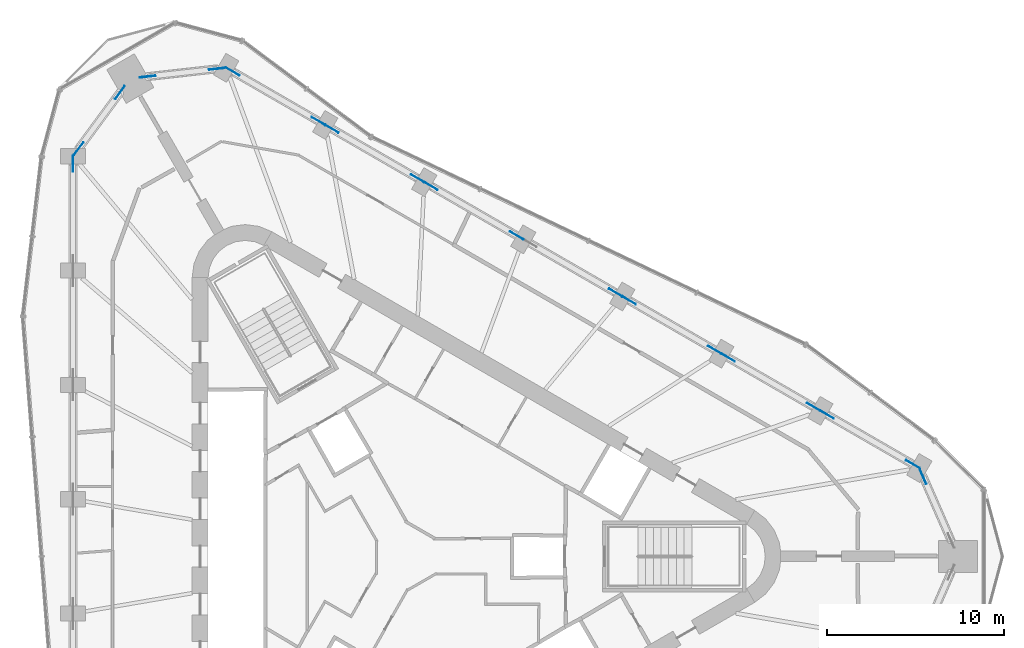
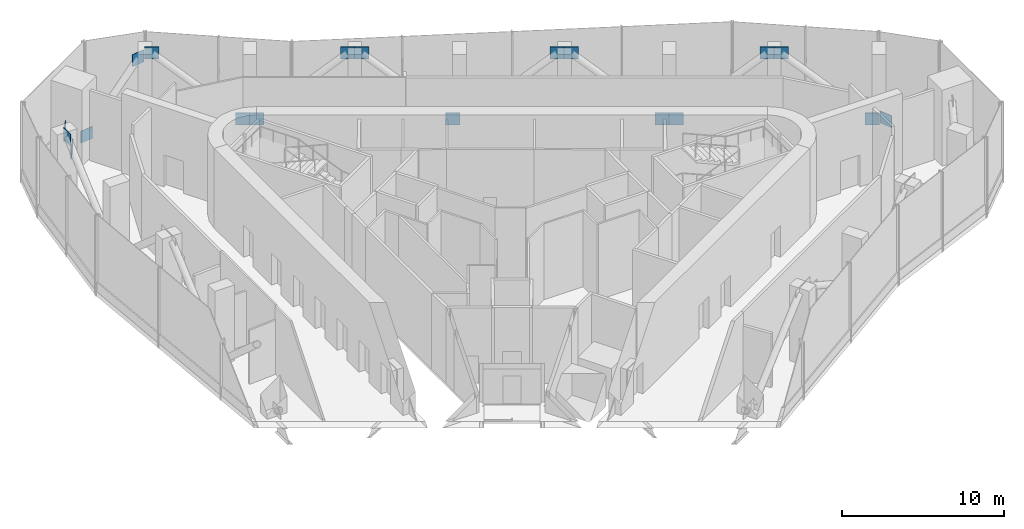
# One storey, part 12 of 15: 19 discrete accessories.
"""IFC4 building model written with IfcOpenShell, lengths in metres."""

from ifc_helpers import new_model, si_unit, direction, frame, origin, origin_2d, place, context, subcontext, project, spatial, rectangle, extrude, material, layer, layer_set, type_object, element, save


model = new_model("IFC4")

# Units and contexts
model_context = context("Model", 3, precision=1e-05, world=origin(), true_north=direction((0.0, 1.0)))
body_context = subcontext(model_context, "Body", "Model", "MODEL_VIEW")
ifc_project = project(units=[si_unit("LENGTHUNIT", "METRE"), si_unit("AREAUNIT", "SQUARE_METRE"), si_unit("VOLUMEUNIT", "CUBIC_METRE"), si_unit("PLANEANGLEUNIT", "RADIAN"), si_unit("MASSUNIT", "GRAM", prefix="KILO")], contexts=[model_context])

# Site, building, storey
site_placement = place(None, origin())
site = spatial("IfcSite", under=ifc_project, at=site_placement, CompositionType="ELEMENT")
building_placement = place(site_placement, origin())
building = spatial("IfcBuilding", under=site, at=building_placement, Name="Tanit Gate Tower", CompositionType="ELEMENT")
storey_placement = place(building_placement, frame((0.0, 0.0, 392.300048828125)))
storey = spatial("IfcBuildingStorey", under=building, at=storey_placement, Name="L90", CompositionType="ELEMENT", Elevation=392.300048828125)

# Discrete accessories
ifc_material = material(Name="Steel S460", Category="steel")
ifc_layer = layer(ifc_material, 0.0400390625)
ifc_layer_set = layer_set([ifc_layer], Name="GUSSET PLATE 900x900x40 S460")
discrete_accessory_type = type_object("IfcDiscreteAccessoryType", Name="GUSSET PLATE 900x900x40 S460", PredefinedType="BRACKET", material=ifc_layer_set)
for number, where, z_axis, x_axis, name in (
    (1, (-18.833984375, 22.198486328125, 4.875244140625), (0.0, 0.0, 1.0), (0.0, -1.0, 0.0), "GUSSET PLATE NODE L90-162"),
    (2, (-18.52099609375, 23.048583984375, 4.698486328125), (0.0, 0.0, 1.0), (0.593123837767, 0.80511124267, 0.0), "GUSSET PLATE NODE L90-164"),
    (3, (-16.180419921875, 26.225341796875, 0.576171875), (0.0, 0.0, 1.0), (-0.593123837767, -0.80511124267, 0.0), "GUSSET PLATE NODE L90-166"),
    (4, (-14.62158203125, 27.12548828125, 0.576171875), (0.0, 0.0, 1.0), (0.993808707908, 0.111104689761, 0.0), "GUSSET PLATE NODE L90-168"),
    (5, (-10.7001953125, 27.563720703125, 4.698486328125), (0.0, 0.0, 1.0), (-0.993808707908, -0.111104689761, 0.0), "GUSSET PLATE NODE L90-170"),
    (6, (-9.8076171875, 27.409912109375, 4.875244140625), (0.0, 0.0, 1.0), (0.866025403784, -0.5, 0.0), "GUSSET PLATE NODE L90-172"),
    (7, (-4.94580078125, 24.60302734375, -0.0751953125), (0.0, 0.0, 1.0), (-0.866025403784, 0.5, 0.0), "GUSSET PLATE NODE L90-174"),
    (8, (-4.209716796875, 24.177978515625, -0.0751953125), (0.0, 0.0, 1.0), (0.866025403784, -0.5, 0.0), "GUSSET PLATE NODE L90-176"),
    (9, (0.652099609375, 21.37109375, 4.875244140625), (0.0, 0.0, 1.0), (-0.866025403784, 0.5, 0.0), "GUSSET PLATE NODE L90-178"),
    (10, (1.38818359375, 20.946044921875, 4.875244140625), (0.0, 0.0, 1.0), (0.866025403784, -0.5, 0.0), "GUSSET PLATE NODE L90-180"),
    (11, (6.25, 18.13916015625, -0.0751953125), (0.0, 0.0, 1.0), (-0.866025403784, 0.5, 0.0), "GUSSET PLATE NODE L90-182"),
    (12, (11.847900390625, 14.9072265625, 4.875244140625), (0.0, 0.0, 1.0), (-0.866025403784, 0.5, 0.0), "GUSSET PLATE NODE L90-186"),
    (13, (12.583984375, 14.482177734375, 4.875244140625), (0.0, 0.0, 1.0), (0.866025403784, -0.5, 0.0), "GUSSET PLATE NODE L90-188"),
    (14, (17.44580078125, 11.67529296875, -0.0751953125), (0.0, 0.0, 1.0), (-0.866025403784, 0.5, 0.0), "GUSSET PLATE NODE L90-190"),
    (15, (18.181884765625, 11.250244140625, -0.0751953125), (0.0, 0.0, 1.0), (0.866025403784, -0.5, 0.0), "GUSSET PLATE NODE L90-192"),
    (16, (23.043701171875, 8.443359375, 4.875244140625), (0.0, 0.0, 1.0), (-0.866025403784, 0.5, 0.0), "GUSSET PLATE NODE L90-194"),
    (17, (23.77978515625, 8.018310546875, 4.875244140625), (0.0, 0.0, 1.0), (0.866025403784, -0.5, 0.0), "GUSSET PLATE NODE L90-196"),
    (18, (28.6416015625, 5.21142578125, -0.0751953125), (0.0, 0.0, 1.0), (-0.866025403784, 0.5, 0.0), "GUSSET PLATE NODE L90-198"),
    (19, (29.22119140625, 4.51513671875, 0.1015625), (0.0, 0.0, 1.0), (0.400684870141, -0.916215932431, 0.0), "GUSSET PLATE NODE L90-200"),
):
    element("IfcDiscreteAccessory", number, at=place(storey_placement, frame(where, z_axis=z_axis, x_axis=x_axis)), inside=storey, type_object=discrete_accessory_type, Name=name, PredefinedType="BRACKET", context=body_context, shape_type="SweptSolid", body=[
        extrude(rectangle(XDim=0.89990234375, YDim=0.0400390625, at=origin_2d()), origin(), (0.0, 0.0, 1.0), 0.89990234375),
    ])

save(model, "model.ifc")
